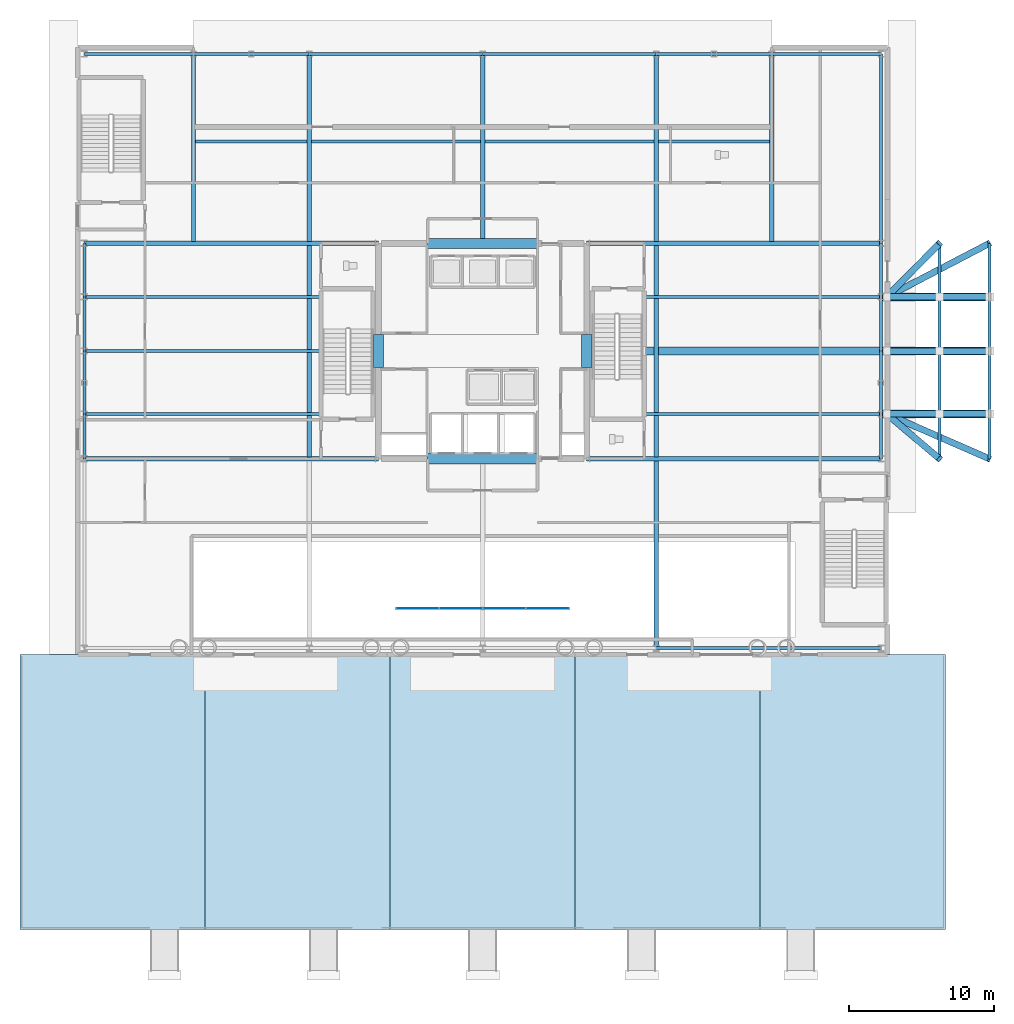
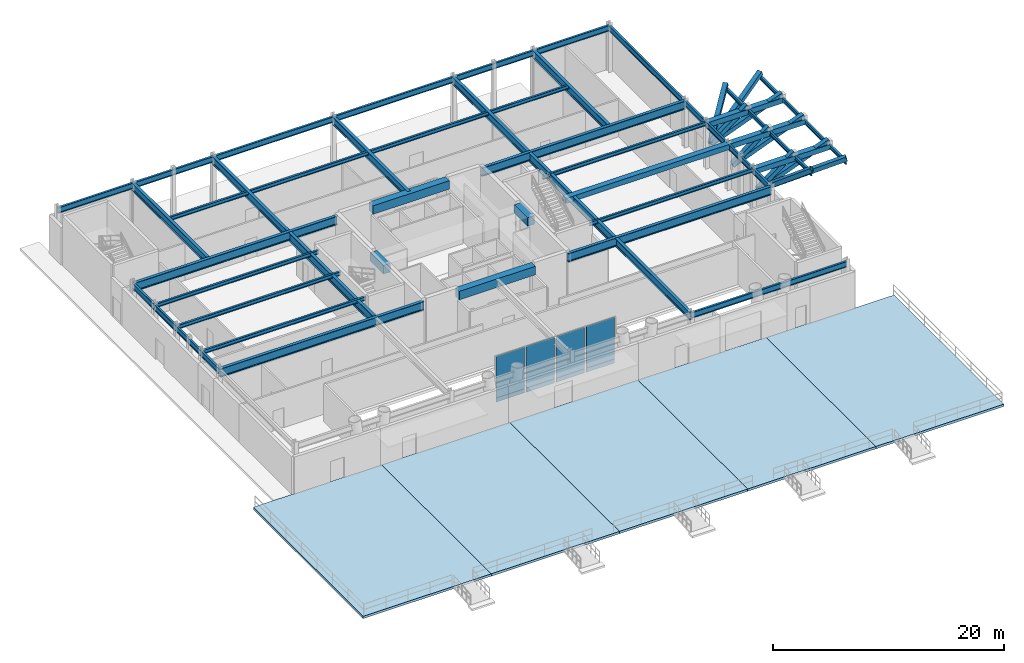
# One storey, part 8 of 19: 44 beams, 10 members, 8 plates, 5 slabs, 1 element without a shape of its own.
"""IFC4 building model written with IfcOpenShell, lengths in metres."""

from ifc_helpers import new_model, si_unit, direction, frame, origin, origin_2d, place, context, subcontext, project, spatial, polyline, rectangle, hollow_rectangle, i_section, outline, extrude, material, layer, layer_set, material_profile, profile_set, type_object, element, aggregate, save


model = new_model("IFC4")

# Units and contexts
model_context = context("Model", 3, precision=1e-05, world=origin(), true_north=direction((0.0, 1.0)))
body_context = subcontext(model_context, "Body", "Model", "MODEL_VIEW")
ifc_project = project(units=[si_unit("LENGTHUNIT", "METRE"), si_unit("AREAUNIT", "SQUARE_METRE"), si_unit("VOLUMEUNIT", "CUBIC_METRE"), si_unit("PLANEANGLEUNIT", "RADIAN"), si_unit("MASSUNIT", "GRAM", prefix="KILO")], contexts=[model_context])

# Site, building, storey
site_placement = place(None, origin())
site = spatial("IfcSite", under=ifc_project, at=site_placement, CompositionType="ELEMENT")
building_placement = place(site_placement, origin())
building = spatial("IfcBuilding", under=site, at=building_placement, Name="Veldorina Hangang Commons", CompositionType="ELEMENT")
storey_placement = place(building_placement, origin())
storey = spatial("IfcBuildingStorey", under=building, at=storey_placement, Name="L00", CompositionType="ELEMENT", Elevation=0.0)

# Beams
ifc_material_1 = material(Name="Concrete C70/85", Category="concrete")
ifc_material_profile_1 = material_profile(ifc_material_1, rectangle(XDim=0.699951171875, YDim=0.89990234375, at=origin_2d()), Name="RC-CB-700x900")
ifc_profile_set_1 = profile_set([ifc_material_profile_1], Name="Concrete C70/85")
beam_type_1 = type_object("IfcBeamType", Name="BM-CB900", PredefinedType="LINTEL", material=ifc_profile_set_1)
for number, where, z_axis, x_axis, name in (
    (1, (24.800048828125, 22.85009765625, 4.449951171875), (0.0, 1.0, 0.0), (-1.0, 0.0, 0.0), "L00 W core coupling lintel beam"),
    (2, (39.199951171875, 22.85009765625, 4.449951171875), (0.0, 1.0, 0.0), (-1.0, 0.0, 0.0), "L00 E core coupling lintel beam"),
):
    element("IfcBeam", number, at=place(storey_placement, frame(where, z_axis=z_axis, x_axis=x_axis)), inside=storey, type_object=beam_type_1, Name=name, PredefinedType="LINTEL", context=body_context, shape_type="SweptSolid", body=[
        extrude(rectangle(XDim=0.699951171875, YDim=0.89990234375, at=origin_2d()), origin(), (0.0, 0.0, 1.0), 2.2998046875),
    ])
for number, where, z_axis, x_axis, name in (
    (3, (28.199951171875, 16.550048828125, 4.449951171875), (1.0, 0.0, 0.0), (0.0, 1.0, 0.0), "L00 south core coupling beam"),
    (4, (28.199951171875, 31.449951171875, 4.449951171875), (1.0, 0.0, 0.0), (0.0, 1.0, 0.0), "L00 north core coupling beam"),
):
    element("IfcBeam", number, at=place(storey_placement, frame(where, z_axis=z_axis, x_axis=x_axis)), inside=storey, type_object=beam_type_1, Name=name, PredefinedType="LINTEL", context=body_context, shape_type="SweptSolid", body=[
        extrude(rectangle(XDim=0.699951171875, YDim=0.89990234375, at=origin_2d()), origin(), (0.0, 0.0, 1.0), 7.60009765625),
    ])
ifc_material_2 = material(Name="Steel SM420-TMC", Category="steel")
ifc_material_profile_2 = material_profile(ifc_material_2, hollow_rectangle(XDim=0.550048828125, YDim=0.550048828125, WallThickness=0.02490234375, at=origin_2d()), Name="BOX-550x550x25")
ifc_profile_set_2 = profile_set([ifc_material_profile_2], Name="Steel SM420-TMC")
beam_type_2 = type_object("IfcBeamType", Name="BM-CNT550", PredefinedType="BEAM", material=ifc_profile_set_2)
beam_1_placement = place(storey_placement, frame((59.550048828125, 19.64990234375, 4.625), z_axis=(1.0, 0.0, 0.0), x_axis=(0.0, 1.0, 0.0)))
element("IfcBeam", 5, at=beam_1_placement, inside=storey, type_object=beam_type_2, Name="L00 lounge cantilever girder S", PredefinedType="BEAM", context=body_context, shape_type="SweptSolid", body=[
    extrude(hollow_rectangle(XDim=0.550048828125, YDim=0.550048828125, WallThickness=0.02490234375, at=origin_2d()), origin(), (0.0, 0.0, 1.0), 7.5),
])
beam_2_placement = place(storey_placement, frame((43.179931640625, 24.0, 4.625), z_axis=(1.0, 0.0, 0.0), x_axis=(0.0, 1.0, 0.0)))
element("IfcBeam", 6, at=beam_2_placement, inside=storey, type_object=beam_type_2, Name="L00 lounge cantilever backspan girder M", PredefinedType="BEAM", context=body_context, shape_type="SweptSolid", body=[
    extrude(hollow_rectangle(XDim=0.550048828125, YDim=0.550048828125, WallThickness=0.02490234375, at=origin_2d()), origin(), (0.0, 0.0, 1.0), 16.3701171875),
])
for number, where, z_axis, x_axis, name in (
    (7, (59.550048828125, 24.0, 4.625), (1.0, 0.0, 0.0), (0.0, 1.0, 0.0), "L00 lounge cantilever girder M"),
    (8, (59.550048828125, 27.75, 4.625), (1.0, 0.0, 0.0), (0.0, 1.0, 0.0), "L00 lounge cantilever girder N"),
):
    element("IfcBeam", number, at=place(storey_placement, frame(where, z_axis=z_axis, x_axis=x_axis)), inside=storey, type_object=beam_type_2, Name=name, PredefinedType="BEAM", context=body_context, shape_type="SweptSolid", body=[
        extrude(hollow_rectangle(XDim=0.550048828125, YDim=0.550048828125, WallThickness=0.02490234375, at=origin_2d()), origin(), (0.0, 0.0, 1.0), 7.5),
    ])
ifc_material_3 = material(Name="Steel SM355-TMC", Category="steel")
ifc_material_profile_3 = material_profile(ifc_material_3, i_section(OverallWidth=0.199951171875, OverallDepth=0.39990234375, WebThickness=0.008056640625, FlangeThickness=0.012939453125, FilletRadius=0.012939453125, at=origin_2d()), Name="H-400x200x8x13")
ifc_profile_set_3 = profile_set([ifc_material_profile_3], Name="Steel SM355-TMC")
beam_type_3 = type_object("IfcBeamType", Name="BM-FG400", PredefinedType="BEAM", material=ifc_profile_set_3)
for number, where, z_axis, x_axis, name in (
    (9, (63.60009765625, 16.550048828125, 4.699951171875), (0.0, 1.0, 0.0), (-1.0, 0.0, 0.0), "L00 lounge cantilever tie beam MID"),
    (10, (67.050048828125, 16.550048828125, 4.699951171875), (0.0, 1.0, 0.0), (-1.0, 0.0, 0.0), "L00 lounge cantilever tie beam TIP"),
):
    element("IfcBeam", number, at=place(storey_placement, frame(where, z_axis=z_axis, x_axis=x_axis)), inside=storey, type_object=beam_type_3, Name=name, PredefinedType="BEAM", context=body_context, shape_type="SweptSolid", body=[
        extrude(i_section(OverallWidth=0.199951171875, OverallDepth=0.39990234375, WebThickness=0.008056640625, FlangeThickness=0.012939453125, FilletRadius=0.012939453125, at=origin_2d()), origin(), (0.0, 0.0, 1.0), 14.89990234375),
    ])
ifc_material_profile_4 = material_profile(ifc_material_3, i_section(OverallWidth=0.199951171875, OverallDepth=0.39990234375, WebThickness=0.008056640625, FlangeThickness=0.012939453125, FilletRadius=0.012939453125, at=origin_2d()), Name="H-400x200x8x13")
ifc_profile_set_4 = profile_set([ifc_material_profile_4], Name="Steel SM355-TMC")
beam_type_4 = type_object("IfcBeamType", Name="BM-JST400", PredefinedType="JOIST", material=ifc_profile_set_4)
for number, where, z_axis, x_axis, name in (
    (11, (4.449951171875, 19.64990234375, 4.699951171875), (1.0, 0.0, 0.0), (0.0, 1.0, 0.0), "L00 west floor joist 1"),
    (12, (43.179931640625, 19.64990234375, 4.699951171875), (1.0, 0.0, 0.0), (0.0, 1.0, 0.0), "L00 east floor joist 1"),
    (13, (4.449951171875, 24.0, 4.699951171875), (1.0, 0.0, 0.0), (0.0, 1.0, 0.0), "L00 west floor joist 2"),
    (14, (4.449951171875, 27.75, 4.699951171875), (1.0, 0.0, 0.0), (0.0, 1.0, 0.0), "L00 west floor joist 3"),
    (15, (43.179931640625, 27.75, 4.699951171875), (1.0, 0.0, 0.0), (0.0, 1.0, 0.0), "L00 east floor joist 3"),
):
    element("IfcBeam", number, at=place(storey_placement, frame(where, z_axis=z_axis, x_axis=x_axis)), inside=storey, type_object=beam_type_4, Name=name, PredefinedType="JOIST", context=body_context, shape_type="SweptSolid", body=[
        extrude(i_section(OverallWidth=0.199951171875, OverallDepth=0.39990234375, WebThickness=0.008056640625, FlangeThickness=0.012939453125, FilletRadius=0.012939453125, at=origin_2d()), origin(), (0.0, 0.0, 1.0), 16.3701171875),
    ])
beam_3_placement = place(storey_placement, frame((12.0, 38.5, 4.699951171875), z_axis=(1.0, 0.0, 0.0), x_axis=(0.0, 1.0, 0.0)))
element("IfcBeam", 16, at=beam_3_placement, inside=storey, type_object=beam_type_4, Name="L00 north floor joist 4", PredefinedType="JOIST", context=body_context, shape_type="SweptSolid", body=[
    extrude(i_section(OverallWidth=0.199951171875, OverallDepth=0.39990234375, WebThickness=0.008056640625, FlangeThickness=0.012939453125, FilletRadius=0.012939453125, at=origin_2d()), origin(), (0.0, 0.0, 1.0), 40.0),
])
ifc_material_4 = material(Name="Steel SM460-TMC", Category="steel")
ifc_material_profile_5 = material_profile(ifc_material_4, i_section(OverallWidth=0.300048828125, OverallDepth=0.800048828125, WebThickness=0.013916015625, FlangeThickness=0.02587890625, FilletRadius=0.02197265625, at=origin_2d()), Name="H-800x300x14x26")
ifc_profile_set_5 = profile_set([ifc_material_profile_5], Name="Steel SM460-TMC")
beam_type_5 = type_object("IfcBeamType", Name="BM-PG800", PredefinedType="BEAM", material=ifc_profile_set_5)
for number, where, z_axis, x_axis, name in (
    (17, (12.0, 31.590087890625, 4.5), (0.0, 1.0, 0.0), (-1.0, 0.0, 0.0), "L00 north primary girder G2"),
    (18, (20.0, 31.590087890625, 4.5), (0.0, 1.0, 0.0), (-1.0, 0.0, 0.0), "L00 north primary girder G3"),
):
    element("IfcBeam", number, at=place(storey_placement, frame(where, z_axis=z_axis, x_axis=x_axis)), inside=storey, type_object=beam_type_5, Name=name, PredefinedType="BEAM", context=body_context, shape_type="SweptSolid", body=[
        extrude(i_section(OverallWidth=0.300048828125, OverallDepth=0.800048828125, WebThickness=0.013916015625, FlangeThickness=0.02587890625, FilletRadius=0.02197265625, at=origin_2d()), origin(), (0.0, 0.0, 1.0), 12.9599609375),
    ])
beam_4_placement = place(storey_placement, frame((32.0, 31.449951171875, 4.5), z_axis=(0.0, 1.0, 0.0), x_axis=(-1.0, 0.0, 0.0)))
element("IfcBeam", 19, at=beam_4_placement, inside=storey, type_object=beam_type_5, Name="L00 north primary girder G5", PredefinedType="BEAM", context=body_context, shape_type="SweptSolid", body=[
    extrude(i_section(OverallWidth=0.300048828125, OverallDepth=0.800048828125, WebThickness=0.013916015625, FlangeThickness=0.02587890625, FilletRadius=0.02197265625, at=origin_2d()), origin(), (0.0, 0.0, 1.0), 13.10009765625),
])
for number, where, z_axis, x_axis, name in (
    (20, (44.0, 31.590087890625, 4.5), (0.0, 1.0, 0.0), (-1.0, 0.0, 0.0), "L00 north primary girder G7"),
    (21, (44.0, 3.449951171875, 4.5), (0.0, 1.0, 0.0), (-1.0, 0.0, 0.0), "L00 south primary girder G7"),
    (22, (52.0, 31.590087890625, 4.5), (0.0, 1.0, 0.0), (-1.0, 0.0, 0.0), "L00 north primary girder G8"),
):
    element("IfcBeam", number, at=place(storey_placement, frame(where, z_axis=z_axis, x_axis=x_axis)), inside=storey, type_object=beam_type_5, Name=name, PredefinedType="BEAM", context=body_context, shape_type="SweptSolid", body=[
        extrude(i_section(OverallWidth=0.300048828125, OverallDepth=0.800048828125, WebThickness=0.013916015625, FlangeThickness=0.02587890625, FilletRadius=0.02197265625, at=origin_2d()), origin(), (0.0, 0.0, 1.0), 12.9599609375),
    ])
ifc_material_profile_6 = material_profile(ifc_material_4, i_section(OverallWidth=0.300048828125, OverallDepth=0.89990234375, WebThickness=0.01611328125, FlangeThickness=0.028076171875, FilletRadius=0.02197265625, at=origin_2d()), Name="H-900x300x16x28")
ifc_profile_set_6 = profile_set([ifc_material_profile_6], Name="Steel SM460-TMC")
beam_type_6 = type_object("IfcBeamType", Name="BM-PG900", PredefinedType="BEAM", material=ifc_profile_set_6)
for number, where, z_axis, x_axis, name in (
    (23, (4.449951171875, 16.550048828125, 4.449951171875), (1.0, 0.0, 0.0), (0.0, 1.0, 0.0), "L00 west collector girder GD"),
    (24, (39.199951171875, 16.550048828125, 4.449951171875), (1.0, 0.0, 0.0), (0.0, 1.0, 0.0), "L00 east collector girder GD"),
    (25, (4.449951171875, 31.449951171875, 4.449951171875), (1.0, 0.0, 0.0), (0.0, 1.0, 0.0), "L00 west collector girder GF"),
    (26, (39.199951171875, 31.449951171875, 4.449951171875), (1.0, 0.0, 0.0), (0.0, 1.0, 0.0), "L00 east collector girder GF"),
):
    element("IfcBeam", number, at=place(storey_placement, frame(where, z_axis=z_axis, x_axis=x_axis)), inside=storey, type_object=beam_type_6, Name=name, PredefinedType="BEAM", context=body_context, shape_type="SweptSolid", body=[
        extrude(i_section(OverallWidth=0.300048828125, OverallDepth=0.89990234375, WebThickness=0.01611328125, FlangeThickness=0.028076171875, FilletRadius=0.02197265625, at=origin_2d()), origin(), (0.0, 0.0, 1.0), 20.35009765625),
    ])
for number, where, z_axis, x_axis, name in (
    (27, (20.0, 16.68994140625, 4.449951171875), (0.0, 1.0, 0.0), (-1.0, 0.0, 0.0), "L00 mid primary girder G3"),
    (28, (44.0, 16.68994140625, 4.449951171875), (0.0, 1.0, 0.0), (-1.0, 0.0, 0.0), "L00 mid primary girder G7"),
):
    element("IfcBeam", number, at=place(storey_placement, frame(where, z_axis=z_axis, x_axis=x_axis)), inside=storey, type_object=beam_type_6, Name=name, PredefinedType="BEAM", context=body_context, shape_type="SweptSolid", body=[
        extrude(i_section(OverallWidth=0.300048828125, OverallDepth=0.89990234375, WebThickness=0.01611328125, FlangeThickness=0.028076171875, FilletRadius=0.02197265625, at=origin_2d()), origin(), (0.0, 0.0, 1.0), 14.6201171875),
    ])
ifc_material_profile_7 = material_profile(ifc_material_2, i_section(OverallWidth=0.199951171875, OverallDepth=0.60009765625, WebThickness=0.010986328125, FlangeThickness=0.01708984375, FilletRadius=0.01806640625, at=origin_2d()), Name="H-600x200x11x17")
ifc_profile_set_7 = profile_set([ifc_material_profile_7], Name="Steel SM420-TMC")
beam_type_7 = type_object("IfcBeamType", Name="BM-SPN600", PredefinedType="SPANDREL", material=ifc_profile_set_7)
beam_5_placement = place(storey_placement, frame((4.449951171875, 44.550048828125, 4.60009765625), z_axis=(1.0, 0.0, 0.0), x_axis=(0.0, 1.0, 0.0)))
element("IfcBeam", 29, at=beam_5_placement, inside=storey, type_object=beam_type_7, Name="L00 north spandrel beam 1", PredefinedType="SPANDREL", context=body_context, shape_type="SweptSolid", body=[
    extrude(i_section(OverallWidth=0.199951171875, OverallDepth=0.60009765625, WebThickness=0.010986328125, FlangeThickness=0.01708984375, FilletRadius=0.01806640625, at=origin_2d()), origin(), (0.0, 0.0, 1.0), 7.550048828125),
])
beam_6_placement = place(storey_placement, frame((12.0, 44.550048828125, 4.60009765625), z_axis=(1.0, 0.0, 0.0), x_axis=(0.0, 1.0, 0.0)))
element("IfcBeam", 30, at=beam_6_placement, inside=storey, type_object=beam_type_7, Name="L00 north spandrel beam 2", PredefinedType="SPANDREL", context=body_context, shape_type="SweptSolid", body=[
    extrude(i_section(OverallWidth=0.199951171875, OverallDepth=0.60009765625, WebThickness=0.010986328125, FlangeThickness=0.01708984375, FilletRadius=0.01806640625, at=origin_2d()), origin(), (0.0, 0.0, 1.0), 8.0),
])
for number, where, z_axis, x_axis, name in (
    (31, (20.0, 44.550048828125, 4.60009765625), (1.0, 0.0, 0.0), (0.0, 1.0, 0.0), "L00 north spandrel beam 3"),
    (32, (32.0, 44.550048828125, 4.60009765625), (1.0, 0.0, 0.0), (0.0, 1.0, 0.0), "L00 north spandrel beam 4"),
):
    element("IfcBeam", number, at=place(storey_placement, frame(where, z_axis=z_axis, x_axis=x_axis)), inside=storey, type_object=beam_type_7, Name=name, PredefinedType="SPANDREL", context=body_context, shape_type="SweptSolid", body=[
        extrude(i_section(OverallWidth=0.199951171875, OverallDepth=0.60009765625, WebThickness=0.010986328125, FlangeThickness=0.01708984375, FilletRadius=0.01806640625, at=origin_2d()), origin(), (0.0, 0.0, 1.0), 12.0),
    ])
beam_7_placement = place(storey_placement, frame((44.0, 44.550048828125, 4.60009765625), z_axis=(1.0, 0.0, 0.0), x_axis=(0.0, 1.0, 0.0)))
element("IfcBeam", 33, at=beam_7_placement, inside=storey, type_object=beam_type_7, Name="L00 north spandrel beam 5", PredefinedType="SPANDREL", context=body_context, shape_type="SweptSolid", body=[
    extrude(i_section(OverallWidth=0.199951171875, OverallDepth=0.60009765625, WebThickness=0.010986328125, FlangeThickness=0.01708984375, FilletRadius=0.01806640625, at=origin_2d()), origin(), (0.0, 0.0, 1.0), 8.0),
])
beam_8_placement = place(storey_placement, frame((52.0, 44.550048828125, 4.60009765625), z_axis=(1.0, 0.0, 0.0), x_axis=(0.0, 1.0, 0.0)))
element("IfcBeam", 34, at=beam_8_placement, inside=storey, type_object=beam_type_7, Name="L00 north spandrel beam 6", PredefinedType="SPANDREL", context=body_context, shape_type="SweptSolid", body=[
    extrude(i_section(OverallWidth=0.199951171875, OverallDepth=0.60009765625, WebThickness=0.010986328125, FlangeThickness=0.01708984375, FilletRadius=0.01806640625, at=origin_2d()), origin(), (0.0, 0.0, 1.0), 7.550048828125),
])
beam_9_placement = place(storey_placement, frame((44.0, 3.449951171875, 4.60009765625), z_axis=(1.0, 0.0, 0.0), x_axis=(0.0, 1.0, 0.0)))
element("IfcBeam", 35, at=beam_9_placement, inside=storey, type_object=beam_type_7, Name="L00 south spandrel beam 4", PredefinedType="SPANDREL", context=body_context, shape_type="SweptSolid", body=[
    extrude(i_section(OverallWidth=0.199951171875, OverallDepth=0.60009765625, WebThickness=0.010986328125, FlangeThickness=0.01708984375, FilletRadius=0.01806640625, at=origin_2d()), origin(), (0.0, 0.0, 1.0), 15.550048828125),
])
for number, where, z_axis, x_axis, name in (
    (36, (4.449951171875, 16.550048828125, 4.60009765625), (0.0, 1.0, 0.0), (-1.0, 0.0, 0.0), "L00 west spandrel beam 2"),
    (37, (59.550048828125, 16.550048828125, 4.60009765625), (0.0, 1.0, 0.0), (-1.0, 0.0, 0.0), "L00 east spandrel beam 2"),
):
    element("IfcBeam", number, at=place(storey_placement, frame(where, z_axis=z_axis, x_axis=x_axis)), inside=storey, type_object=beam_type_7, Name=name, PredefinedType="SPANDREL", context=body_context, shape_type="SweptSolid", body=[
        extrude(i_section(OverallWidth=0.199951171875, OverallDepth=0.60009765625, WebThickness=0.010986328125, FlangeThickness=0.01708984375, FilletRadius=0.01806640625, at=origin_2d()), origin(), (0.0, 0.0, 1.0), 3.099853515625),
    ])
for number, where, z_axis, x_axis, name in (
    (38, (4.449951171875, 19.64990234375, 4.60009765625), (0.0, 1.0, 0.0), (-1.0, 0.0, 0.0), "L00 west spandrel beam 3"),
    (39, (59.550048828125, 19.64990234375, 4.60009765625), (0.0, 1.0, 0.0), (-1.0, 0.0, 0.0), "L00 east spandrel beam 3"),
):
    element("IfcBeam", number, at=place(storey_placement, frame(where, z_axis=z_axis, x_axis=x_axis)), inside=storey, type_object=beam_type_7, Name=name, PredefinedType="SPANDREL", context=body_context, shape_type="SweptSolid", body=[
        extrude(i_section(OverallWidth=0.199951171875, OverallDepth=0.60009765625, WebThickness=0.010986328125, FlangeThickness=0.01708984375, FilletRadius=0.01806640625, at=origin_2d()), origin(), (0.0, 0.0, 1.0), 4.35009765625),
    ])
for number, where, z_axis, x_axis, name in (
    (40, (4.449951171875, 24.0, 4.60009765625), (0.0, 1.0, 0.0), (-1.0, 0.0, 0.0), "L00 west spandrel beam 4"),
    (41, (59.550048828125, 24.0, 4.60009765625), (0.0, 1.0, 0.0), (-1.0, 0.0, 0.0), "L00 east spandrel beam 4"),
):
    element("IfcBeam", number, at=place(storey_placement, frame(where, z_axis=z_axis, x_axis=x_axis)), inside=storey, type_object=beam_type_7, Name=name, PredefinedType="SPANDREL", context=body_context, shape_type="SweptSolid", body=[
        extrude(i_section(OverallWidth=0.199951171875, OverallDepth=0.60009765625, WebThickness=0.010986328125, FlangeThickness=0.01708984375, FilletRadius=0.01806640625, at=origin_2d()), origin(), (0.0, 0.0, 1.0), 3.75),
    ])
for number, where, z_axis, x_axis, name in (
    (42, (4.449951171875, 27.75, 4.60009765625), (0.0, 1.0, 0.0), (-1.0, 0.0, 0.0), "L00 west spandrel beam 5"),
    (43, (59.550048828125, 27.75, 4.60009765625), (0.0, 1.0, 0.0), (-1.0, 0.0, 0.0), "L00 east spandrel beam 5"),
):
    element("IfcBeam", number, at=place(storey_placement, frame(where, z_axis=z_axis, x_axis=x_axis)), inside=storey, type_object=beam_type_7, Name=name, PredefinedType="SPANDREL", context=body_context, shape_type="SweptSolid", body=[
        extrude(i_section(OverallWidth=0.199951171875, OverallDepth=0.60009765625, WebThickness=0.010986328125, FlangeThickness=0.01708984375, FilletRadius=0.01806640625, at=origin_2d()), origin(), (0.0, 0.0, 1.0), 3.699951171875),
    ])
beam_10_placement = place(storey_placement, frame((59.550048828125, 31.449951171875, 4.60009765625), z_axis=(0.0, 1.0, 0.0), x_axis=(-1.0, 0.0, 0.0)))
element("IfcBeam", 44, at=beam_10_placement, inside=storey, type_object=beam_type_7, Name="L00 east spandrel beam 6", PredefinedType="SPANDREL", context=body_context, shape_type="SweptSolid", body=[
    extrude(i_section(OverallWidth=0.199951171875, OverallDepth=0.60009765625, WebThickness=0.010986328125, FlangeThickness=0.01708984375, FilletRadius=0.01806640625, at=origin_2d()), origin(), (0.0, 0.0, 1.0), 13.10009765625),
])

# Members
ifc_material_profile_8 = material_profile(ifc_material_2, hollow_rectangle(XDim=0.449951171875, YDim=0.449951171875, WallThickness=0.02197265625, at=origin_2d()), Name="SHS-450x450x22")
ifc_profile_set_8 = profile_set([ifc_material_profile_8], Name="Steel SM420-TMC")
member_type = type_object("IfcMemberType", Name="CNT-SHS450", PredefinedType="BRACE", material=ifc_profile_set_8)
member_1_placement = place(storey_placement, frame((59.949951171875, 19.64990234375, 2.449951171875), z_axis=(0.798696783759, 0.0, 0.601733701576), x_axis=(0.0, 1.0, 0.0)))
element("IfcMember", 45, at=member_1_placement, inside=storey, type_object=member_type, Name="L00 lounge cantilever raking strut S-P1", PredefinedType="BRACE", context=body_context, shape_type="SweptSolid", body=[
    extrude(hollow_rectangle(XDim=0.449951171875, YDim=0.449951171875, WallThickness=0.02197265625, at=origin_2d()), origin(), (0.0, 0.0, 1.0), 4.570068359375),
])
member_2_placement = place(storey_placement, frame((59.949951171875, 19.64990234375, 2.449951171875), z_axis=(0.932498438668, 0.0, 0.361174004991), x_axis=(0.0, 1.0, 0.0)))
element("IfcMember", 46, at=member_2_placement, inside=storey, type_object=member_type, Name="L00 lounge cantilever raking strut S-P2", PredefinedType="BRACE", context=body_context, shape_type="SweptSolid", body=[
    extrude(hollow_rectangle(XDim=0.449951171875, YDim=0.449951171875, WallThickness=0.02197265625, at=origin_2d()), origin(), (0.0, 0.0, 1.0), 7.614013671875),
])
member_3_placement = place(storey_placement, frame((59.949951171875, 24.0, 2.449951171875), z_axis=(0.798696783759, 0.0, 0.601733701576), x_axis=(0.0, 1.0, 0.0)))
element("IfcMember", 47, at=member_3_placement, inside=storey, type_object=member_type, Name="L00 lounge cantilever raking strut M-P1", PredefinedType="BRACE", context=body_context, shape_type="SweptSolid", body=[
    extrude(hollow_rectangle(XDim=0.449951171875, YDim=0.449951171875, WallThickness=0.02197265625, at=origin_2d()), origin(), (0.0, 0.0, 1.0), 4.570068359375),
])
member_4_placement = place(storey_placement, frame((59.949951171875, 24.0, 2.449951171875), z_axis=(0.932498438668, 0.0, 0.361174004991), x_axis=(0.0, 1.0, 0.0)))
element("IfcMember", 48, at=member_4_placement, inside=storey, type_object=member_type, Name="L00 lounge cantilever raking strut M-P2", PredefinedType="BRACE", context=body_context, shape_type="SweptSolid", body=[
    extrude(hollow_rectangle(XDim=0.449951171875, YDim=0.449951171875, WallThickness=0.02197265625, at=origin_2d()), origin(), (0.0, 0.0, 1.0), 7.614013671875),
])
member_5_placement = place(storey_placement, frame((59.949951171875, 27.75, 2.449951171875), z_axis=(0.798696783759, 0.0, 0.601733701576), x_axis=(0.0, 1.0, 0.0)))
element("IfcMember", 49, at=member_5_placement, inside=storey, type_object=member_type, Name="L00 lounge cantilever raking strut N-P1", PredefinedType="BRACE", context=body_context, shape_type="SweptSolid", body=[
    extrude(hollow_rectangle(XDim=0.449951171875, YDim=0.449951171875, WallThickness=0.02197265625, at=origin_2d()), origin(), (0.0, 0.0, 1.0), 4.570068359375),
])
member_6_placement = place(storey_placement, frame((59.949951171875, 27.75, 2.449951171875), z_axis=(0.932498438668, 0.0, 0.361174004991), x_axis=(0.0, 1.0, 0.0)))
element("IfcMember", 50, at=member_6_placement, inside=storey, type_object=member_type, Name="L00 lounge cantilever raking strut N-P2", PredefinedType="BRACE", context=body_context, shape_type="SweptSolid", body=[
    extrude(hollow_rectangle(XDim=0.449951171875, YDim=0.449951171875, WallThickness=0.02197265625, at=origin_2d()), origin(), (0.0, 0.0, 1.0), 7.614013671875),
])
member_7_placement = place(storey_placement, frame((59.949951171875, 19.64990234375, 2.449951171875), z_axis=(0.660989905351, -0.561339631345, 0.497986107543), x_axis=(0.647312426635, 0.762224784643, 0.0)))
element("IfcMember", 51, at=member_7_placement, inside=storey, type_object=member_type, Name="L00 lounge corner raking strut CS-MID", PredefinedType="BRACE", context=body_context, shape_type="SweptSolid", body=[
    extrude(hollow_rectangle(XDim=0.449951171875, YDim=0.449951171875, WallThickness=0.02197265625, at=origin_2d()), origin(), (0.0, 0.0, 1.0), 5.522216796875),
])
member_8_placement = place(storey_placement, frame((59.949951171875, 27.75, 2.449951171875), z_axis=(0.620761469299, 0.629231494029, 0.467678228225), x_axis=(-0.711881834872, 0.702299261839, 0.0)))
element("IfcMember", 52, at=member_8_placement, inside=storey, type_object=member_type, Name="L00 lounge corner raking strut CN-MID", PredefinedType="BRACE", context=body_context, shape_type="SweptSolid", body=[
    extrude(hollow_rectangle(XDim=0.449951171875, YDim=0.449951171875, WallThickness=0.02197265625, at=origin_2d()), origin(), (0.0, 0.0, 1.0), 5.880126953125),
])
member_9_placement = place(storey_placement, frame((59.949951171875, 19.64990234375, 2.449951171875), z_axis=(0.863665671805, -0.377070457152, 0.334513792972), x_axis=(0.400121091395, 0.91646228085, 0.0)))
element("IfcMember", 53, at=member_9_placement, inside=storey, type_object=member_type, Name="L00 lounge corner raking strut CS-TIP", PredefinedType="BRACE", context=body_context, shape_type="SweptSolid", body=[
    extrude(hollow_rectangle(XDim=0.449951171875, YDim=0.449951171875, WallThickness=0.02197265625, at=origin_2d()), origin(), (0.0, 0.0, 1.0), 8.220947265625),
])
member_10_placement = place(storey_placement, frame((59.949951171875, 27.75, 2.449951171875), z_axis=(0.838716597947, 0.437065884117, 0.324850552207), x_axis=(-0.462129299695, 0.886812556498, 0.0)))
element("IfcMember", 54, at=member_10_placement, inside=storey, type_object=member_type, Name="L00 lounge corner raking strut CN-TIP", PredefinedType="BRACE", context=body_context, shape_type="SweptSolid", body=[
    extrude(hollow_rectangle(XDim=0.449951171875, YDim=0.449951171875, WallThickness=0.02197265625, at=origin_2d()), origin(), (0.0, 0.0, 1.0), 8.46533203125),
])

# Curtain wall, plates
ifc_material_5 = material(Name="Glass Low-E Triple IGU", Category="glass")
ifc_layer_1 = layer(ifc_material_5, 0.179931640625)
ifc_layer_set_1 = layer_set([ifc_layer_1], Name="Glass Low-E Triple IGU")
curtain_wall_type = type_object("IfcCurtainWallType", Name="CW-SYS-POD", PredefinedType="NOTDEFINED", material=ifc_layer_set_1)
curtain_wall_placement = place(storey_placement, origin())
curtain_wall = element("IfcCurtainWall", 55, at=curtain_wall_placement, inside=storey, type_object=curtain_wall_type, Name="L00 unitised curtain wall CW-L00-VEST", PredefinedType="NOTDEFINED")
ifc_material_6 = material(Name="Stone Roman Travertine", Category="masonry")
ifc_layer_2 = layer(ifc_material_6, 0.054931640625)
ifc_layer_set_2 = layer_set([ifc_layer_2], Name="Stone Roman Travertine")
plate_type_1 = type_object("IfcPlateType", Name="CW-PNL-SPN", PredefinedType="USERDEFINED", material=ifc_layer_set_2)
plate_1_placement = place(storey_placement, frame((27.5, 6.199951171875, 0.025146484375), z_axis=(0.0, 0.0, 1.0), x_axis=(1.0, 0.0, 0.0)))
plate_1 = element("IfcPlate", 56, at=plate_1_placement, type_object=plate_type_1, Name="CW-L00-VEST facet 1 travertine spandrel panel", ObjectType="SPANDREL", PredefinedType="USERDEFINED", context=body_context, shape_type="SweptSolid", body=[
    extrude(rectangle(XDim=2.820068359375, YDim=0.054931640625, at=origin_2d()), origin(), (0.0, 0.0, 1.0), 0.419921875),
])
plate_2_placement = place(storey_placement, frame((30.5, 6.199951171875, 0.025146484375), z_axis=(0.0, 0.0, 1.0), x_axis=(1.0, 0.0, 0.0)))
plate_2 = element("IfcPlate", 57, at=plate_2_placement, type_object=plate_type_1, Name="CW-L00-VEST facet 2 travertine spandrel panel", ObjectType="SPANDREL", PredefinedType="USERDEFINED", context=body_context, shape_type="SweptSolid", body=[
    extrude(rectangle(XDim=2.820068359375, YDim=0.054931640625, at=origin_2d()), origin(), (0.0, 0.0, 1.0), 0.419921875),
])
plate_3_placement = place(storey_placement, frame((33.5, 6.199951171875, 0.025146484375), z_axis=(0.0, 0.0, 1.0), x_axis=(1.0, 0.0, 0.0)))
plate_3 = element("IfcPlate", 58, at=plate_3_placement, type_object=plate_type_1, Name="CW-L00-VEST facet 3 travertine spandrel panel", ObjectType="SPANDREL", PredefinedType="USERDEFINED", context=body_context, shape_type="SweptSolid", body=[
    extrude(rectangle(XDim=2.820068359375, YDim=0.054931640625, at=origin_2d()), origin(), (0.0, 0.0, 1.0), 0.419921875),
])
plate_4_placement = place(storey_placement, frame((36.5, 6.199951171875, 0.025146484375), z_axis=(0.0, 0.0, 1.0), x_axis=(1.0, 0.0, 0.0)))
plate_4 = element("IfcPlate", 59, at=plate_4_placement, type_object=plate_type_1, Name="CW-L00-VEST facet 4 travertine spandrel panel", ObjectType="SPANDREL", PredefinedType="USERDEFINED", context=body_context, shape_type="SweptSolid", body=[
    extrude(rectangle(XDim=2.820068359375, YDim=0.054931640625, at=origin_2d()), origin(), (0.0, 0.0, 1.0), 0.419921875),
])
ifc_layer_3 = layer(ifc_material_5, 0.0400390625)
ifc_layer_set_3 = layer_set([ifc_layer_3], Name="Glass Low-E Triple IGU")
plate_type_2 = type_object("IfcPlateType", Name="CW-PNL-VIS", PredefinedType="CURTAIN_PANEL", material=ifc_layer_set_3)
plate_5_placement = place(storey_placement, frame((27.5, 6.199951171875, 0.465087890625), z_axis=(0.0, 0.0, 1.0), x_axis=(1.0, 0.0, 0.0)))
plate_5 = element("IfcPlate", 60, at=plate_5_placement, type_object=plate_type_2, Name="CW-L00-VEST facet 1 glazed vision panel", PredefinedType="CURTAIN_PANEL", context=body_context, shape_type="SweptSolid", body=[
    extrude(rectangle(XDim=2.820068359375, YDim=0.0400390625, at=origin_2d()), origin(), (0.0, 0.0, 1.0), 4.419921875),
])
plate_6_placement = place(storey_placement, frame((30.5, 6.199951171875, 0.465087890625), z_axis=(0.0, 0.0, 1.0), x_axis=(1.0, 0.0, 0.0)))
plate_6 = element("IfcPlate", 61, at=plate_6_placement, type_object=plate_type_2, Name="CW-L00-VEST facet 2 glazed vision panel", PredefinedType="CURTAIN_PANEL", context=body_context, shape_type="SweptSolid", body=[
    extrude(rectangle(XDim=2.820068359375, YDim=0.0400390625, at=origin_2d()), origin(), (0.0, 0.0, 1.0), 4.419921875),
])
plate_7_placement = place(storey_placement, frame((33.5, 6.199951171875, 0.465087890625), z_axis=(0.0, 0.0, 1.0), x_axis=(1.0, 0.0, 0.0)))
plate_7 = element("IfcPlate", 62, at=plate_7_placement, type_object=plate_type_2, Name="CW-L00-VEST facet 3 glazed vision panel", PredefinedType="CURTAIN_PANEL", context=body_context, shape_type="SweptSolid", body=[
    extrude(rectangle(XDim=2.820068359375, YDim=0.0400390625, at=origin_2d()), origin(), (0.0, 0.0, 1.0), 4.419921875),
])
plate_8_placement = place(storey_placement, frame((36.5, 6.199951171875, 0.465087890625), z_axis=(0.0, 0.0, 1.0), x_axis=(1.0, 0.0, 0.0)))
plate_8 = element("IfcPlate", 63, at=plate_8_placement, type_object=plate_type_2, Name="CW-L00-VEST facet 4 glazed vision panel", PredefinedType="CURTAIN_PANEL", context=body_context, shape_type="SweptSolid", body=[
    extrude(rectangle(XDim=2.820068359375, YDim=0.0400390625, at=origin_2d()), origin(), (0.0, 0.0, 1.0), 4.419921875),
])
aggregate(curtain_wall, [plate_1, plate_5, plate_2, plate_6, plate_3, plate_7, plate_4, plate_8])

# Slabs
ifc_material_7 = material(Name="Concrete C35/45", Category="concrete")
ifc_layer_4 = layer(ifc_material_7, 0.25)
ifc_layer_set_4 = layer_set([ifc_layer_4], Name="Concrete C35/45")
slab_type = type_object("IfcSlabType", Name="SL-PAV-250", PredefinedType="USERDEFINED", material=ifc_layer_set_4)
slab_1_placement = place(storey_placement, frame((0.0, 0.0, -0.25)))
element("IfcSlab", 64, at=slab_1_placement, inside=storey, type_object=slab_type, Name="L00 Hangang waterfront promenade paving slab 1", ObjectType="PAVING", PredefinedType="USERDEFINED", context=body_context, shape_type="SweptSolid", body=[
    extrude(outline(polyline([(0.0, -16.0), (12.800048828125, -16.0), (12.800048828125, 3.0), (0.0, 3.0), (0.0, -16.0)])), origin(), (0.0, 0.0, 1.0), 0.25),
])
slab_2_placement = place(storey_placement, frame((0.0, 0.0, -0.25)))
element("IfcSlab", 65, at=slab_2_placement, inside=storey, type_object=slab_type, Name="L00 Hangang waterfront promenade paving slab 2", ObjectType="PAVING", PredefinedType="USERDEFINED", context=body_context, shape_type="SweptSolid", body=[
    extrude(outline(polyline([(12.800048828125, -16.0), (25.60009765625, -16.0), (25.60009765625, 3.0), (12.800048828125, 3.0), (12.800048828125, -16.0)])), origin(), (0.0, 0.0, 1.0), 0.25),
])
slab_3_placement = place(storey_placement, frame((0.0, 0.0, -0.25)))
element("IfcSlab", 66, at=slab_3_placement, inside=storey, type_object=slab_type, Name="L00 Hangang waterfront promenade paving slab 3", ObjectType="PAVING", PredefinedType="USERDEFINED", context=body_context, shape_type="SweptSolid", body=[
    extrude(outline(polyline([(25.60009765625, -16.0), (38.39990234375, -16.0), (38.39990234375, 3.0), (25.60009765625, 3.0), (25.60009765625, -16.0)])), origin(), (0.0, 0.0, 1.0), 0.25),
])
slab_4_placement = place(storey_placement, frame((0.0, 0.0, -0.25)))
element("IfcSlab", 67, at=slab_4_placement, inside=storey, type_object=slab_type, Name="L00 Hangang waterfront promenade paving slab 4", ObjectType="PAVING", PredefinedType="USERDEFINED", context=body_context, shape_type="SweptSolid", body=[
    extrude(outline(polyline([(38.39990234375, -16.0), (51.199951171875, -16.0), (51.199951171875, 3.0), (38.39990234375, 3.0), (38.39990234375, -16.0)])), origin(), (0.0, 0.0, 1.0), 0.25),
])
slab_5_placement = place(storey_placement, frame((0.0, 0.0, -0.25)))
element("IfcSlab", 68, at=slab_5_placement, inside=storey, type_object=slab_type, Name="L00 Hangang waterfront promenade paving slab 5", ObjectType="PAVING", PredefinedType="USERDEFINED", context=body_context, shape_type="SweptSolid", body=[
    extrude(outline(polyline([(51.199951171875, -16.0), (64.0, -16.0), (64.0, 3.0), (51.199951171875, 3.0), (51.199951171875, -16.0)])), origin(), (0.0, 0.0, 1.0), 0.25),
])

save(model, "model.ifc")
